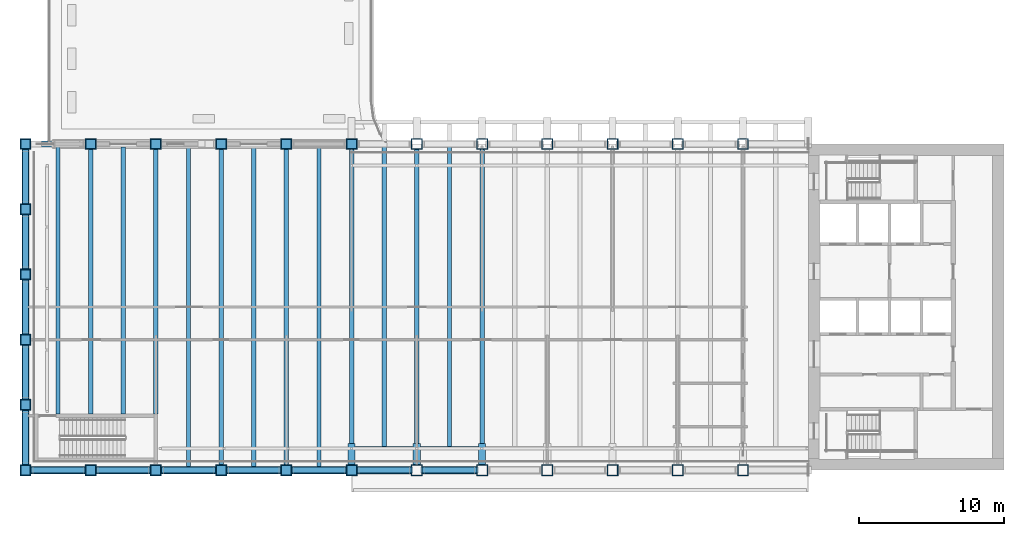
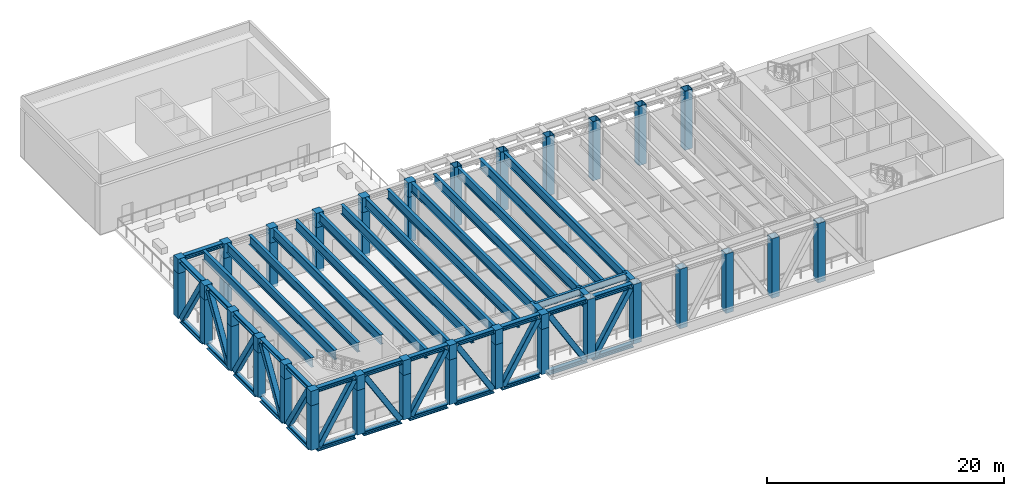
# One storey, part 1 of 20: 44 columns, 37 members, 19 beams.
"""IFC4 building model written with IfcOpenShell, lengths in metres."""

from ifc_helpers import new_model, si_unit, direction, frame, origin, origin_2d, place, context, subcontext, project, spatial, rectangle, hollow_rectangle, i_section, extrude, material, material_profile, profile_set, type_object, element, save


model = new_model("IFC4")

# Units and contexts
model_context = context("Model", 3, precision=1e-05, world=origin(), true_north=direction((0.0, 1.0)))
body_context = subcontext(model_context, "Body", "Model", "MODEL_VIEW")
ifc_project = project(units=[si_unit("LENGTHUNIT", "METRE"), si_unit("AREAUNIT", "SQUARE_METRE"), si_unit("VOLUMEUNIT", "CUBIC_METRE"), si_unit("PLANEANGLEUNIT", "RADIAN"), si_unit("MASSUNIT", "GRAM", prefix="KILO")], contexts=[model_context])

# Site, building, storey
site_placement = place(None, origin())
site = spatial("IfcSite", under=ifc_project, at=site_placement, CompositionType="ELEMENT")
building_placement = place(site_placement, origin())
building = spatial("IfcBuilding", under=site, at=building_placement, Name="Sennacour Bend Tower", CompositionType="ELEMENT")
storey_placement = place(building_placement, frame((0.0, 0.0, 243.0)))
storey = spatial("IfcBuildingStorey", under=building, at=storey_placement, Name="L56", CompositionType="ELEMENT", Elevation=243.0)

# Columns
ifc_material_1 = material(Name="Steel ASTM A572 Grade 50", Category="steel")
ifc_material_profile_1 = material_profile(ifc_material_1, hollow_rectangle(XDim=0.75, YDim=0.75, WallThickness=0.035888671875, at=origin_2d()), Name="Steel ASTM A572 Grade 50", Category="steel")
ifc_profile_set_1 = profile_set([ifc_material_profile_1], Name="Steel ASTM A572 Grade 50")
column_type_1 = type_object("IfcColumnType", Name="Box column 750", PredefinedType="COLUMN", material=ifc_profile_set_1)
for number, where, z_axis, x_axis, name in (
    (1, (0.0, 0.0, -0.25), (0.0, 0.0, 1.0), (1.0, 0.0, 0.0), "Perimeter column C4 L56-001"),
    (2, (0.0, 4.5, -0.25), (0.0, 0.0, 1.0), (1.0, 0.0, 0.0), "Perimeter column C4 L56-002"),
    (3, (0.0, 9.0, -0.25), (0.0, 0.0, 1.0), (1.0, 0.0, 0.0), "Perimeter column C4 L56-003"),
    (4, (0.0, 13.5, -0.25), (0.0, 0.0, 1.0), (1.0, 0.0, 0.0), "Perimeter column C4 L56-004"),
    (5, (0.0, 18.0, -0.25), (0.0, 0.0, 1.0), (1.0, 0.0, 0.0), "Perimeter column C4 L56-005"),
):
    element("IfcColumn", number, at=place(storey_placement, frame(where, z_axis=z_axis, x_axis=x_axis)), inside=storey, type_object=column_type_1, Name=name, PredefinedType="COLUMN", context=body_context, shape_type="SweptSolid", body=[
        extrude(hollow_rectangle(XDim=0.75, YDim=0.75, WallThickness=0.035888671875, at=origin_2d()), origin(), (0.0, 0.0, 1.0), 4.60009765625),
    ])
column_1_placement = place(storey_placement, frame((0.0, 22.5, -0.300048828125), z_axis=(0.0, 0.0, 1.0), x_axis=(1.0, 0.0, 0.0)))
element("IfcColumn", 6, at=column_1_placement, inside=storey, type_object=column_type_1, Name="Perimeter column C4 L56-006", PredefinedType="COLUMN", context=body_context, shape_type="SweptSolid", body=[
    extrude(hollow_rectangle(XDim=0.75, YDim=0.75, WallThickness=0.035888671875, at=origin_2d()), origin(), (0.0, 0.0, 1.0), 4.650146484375),
])
column_2_placement = place(storey_placement, frame((4.5, 0.0, -0.25), z_axis=(0.0, 0.0, 1.0), x_axis=(1.0, 0.0, 0.0)))
element("IfcColumn", 7, at=column_2_placement, inside=storey, type_object=column_type_1, Name="Perimeter column C4 L56-007", PredefinedType="COLUMN", context=body_context, shape_type="SweptSolid", body=[
    extrude(hollow_rectangle(XDim=0.75, YDim=0.75, WallThickness=0.035888671875, at=origin_2d()), origin(), (0.0, 0.0, 1.0), 4.60009765625),
])
column_3_placement = place(storey_placement, frame((4.5, 22.5, -0.300048828125), z_axis=(0.0, 0.0, 1.0), x_axis=(1.0, 0.0, 0.0)))
element("IfcColumn", 8, at=column_3_placement, inside=storey, type_object=column_type_1, Name="Perimeter column C4 L56-008", PredefinedType="COLUMN", context=body_context, shape_type="SweptSolid", body=[
    extrude(hollow_rectangle(XDim=0.75, YDim=0.75, WallThickness=0.035888671875, at=origin_2d()), origin(), (0.0, 0.0, 1.0), 4.650146484375),
])
column_4_placement = place(storey_placement, frame((9.0, 0.0, -0.25), z_axis=(0.0, 0.0, 1.0), x_axis=(1.0, 0.0, 0.0)))
element("IfcColumn", 9, at=column_4_placement, inside=storey, type_object=column_type_1, Name="Perimeter column C4 L56-009", PredefinedType="COLUMN", context=body_context, shape_type="SweptSolid", body=[
    extrude(hollow_rectangle(XDim=0.75, YDim=0.75, WallThickness=0.035888671875, at=origin_2d()), origin(), (0.0, 0.0, 1.0), 4.60009765625),
])
column_5_placement = place(storey_placement, frame((9.0, 22.5, -0.300048828125), z_axis=(0.0, 0.0, 1.0), x_axis=(1.0, 0.0, 0.0)))
element("IfcColumn", 10, at=column_5_placement, inside=storey, type_object=column_type_1, Name="Perimeter column C4 L56-010", PredefinedType="COLUMN", context=body_context, shape_type="SweptSolid", body=[
    extrude(hollow_rectangle(XDim=0.75, YDim=0.75, WallThickness=0.035888671875, at=origin_2d()), origin(), (0.0, 0.0, 1.0), 4.650146484375),
])
column_6_placement = place(storey_placement, frame((13.5, 0.0, -0.25), z_axis=(0.0, 0.0, 1.0), x_axis=(1.0, 0.0, 0.0)))
element("IfcColumn", 11, at=column_6_placement, inside=storey, type_object=column_type_1, Name="Perimeter column C4 L56-011", PredefinedType="COLUMN", context=body_context, shape_type="SweptSolid", body=[
    extrude(hollow_rectangle(XDim=0.75, YDim=0.75, WallThickness=0.035888671875, at=origin_2d()), origin(), (0.0, 0.0, 1.0), 4.60009765625),
])
column_7_placement = place(storey_placement, frame((13.5, 22.5, -0.300048828125), z_axis=(0.0, 0.0, 1.0), x_axis=(1.0, 0.0, 0.0)))
element("IfcColumn", 12, at=column_7_placement, inside=storey, type_object=column_type_1, Name="Perimeter column C4 L56-012", PredefinedType="COLUMN", context=body_context, shape_type="SweptSolid", body=[
    extrude(hollow_rectangle(XDim=0.75, YDim=0.75, WallThickness=0.035888671875, at=origin_2d()), origin(), (0.0, 0.0, 1.0), 4.650146484375),
])
column_8_placement = place(storey_placement, frame((18.0, 0.0, -0.25), z_axis=(0.0, 0.0, 1.0), x_axis=(1.0, 0.0, 0.0)))
element("IfcColumn", 13, at=column_8_placement, inside=storey, type_object=column_type_1, Name="Perimeter column C4 L56-013", PredefinedType="COLUMN", context=body_context, shape_type="SweptSolid", body=[
    extrude(hollow_rectangle(XDim=0.75, YDim=0.75, WallThickness=0.035888671875, at=origin_2d()), origin(), (0.0, 0.0, 1.0), 4.60009765625),
])
for number, where, z_axis, x_axis, name in (
    (14, (18.0, 22.5, -0.300048828125), (0.0, 0.0, 1.0), (1.0, 0.0, 0.0), "Perimeter column C4 L56-014"),
    (15, (22.5, 0.0, -0.300048828125), (0.0, 0.0, 1.0), (1.0, 0.0, 0.0), "Perimeter column C4 L56-015"),
    (16, (22.5, 22.5, -0.300048828125), (0.0, 0.0, 1.0), (1.0, 0.0, 0.0), "Perimeter column C4 L56-016"),
):
    element("IfcColumn", number, at=place(storey_placement, frame(where, z_axis=z_axis, x_axis=x_axis)), inside=storey, type_object=column_type_1, Name=name, PredefinedType="COLUMN", context=body_context, shape_type="SweptSolid", body=[
        extrude(hollow_rectangle(XDim=0.75, YDim=0.75, WallThickness=0.035888671875, at=origin_2d()), origin(), (0.0, 0.0, 1.0), 4.650146484375),
    ])
column_9_placement = place(storey_placement, frame((27.0, 0.0, -0.300048828125), z_axis=(0.0, 0.0, 1.0), x_axis=(1.0, 0.0, 0.0)))
element("IfcColumn", 17, at=column_9_placement, inside=storey, type_object=column_type_1, Name="Perimeter column C4 L56-017", PredefinedType="COLUMN", context=body_context, shape_type="SweptSolid", body=[
    extrude(hollow_rectangle(XDim=0.75, YDim=0.75, WallThickness=0.035888671875, at=origin_2d()), origin(), (0.0, 0.0, 1.0), 6.150146484375),
])
column_10_placement = place(storey_placement, frame((27.0, 22.5, -0.25), z_axis=(0.0, 0.0, 1.0), x_axis=(1.0, 0.0, 0.0)))
element("IfcColumn", 18, at=column_10_placement, inside=storey, type_object=column_type_1, Name="Perimeter column C4 L56-018", PredefinedType="COLUMN", context=body_context, shape_type="SweptSolid", body=[
    extrude(hollow_rectangle(XDim=0.75, YDim=0.75, WallThickness=0.035888671875, at=origin_2d()), origin(), (0.0, 0.0, 1.0), 6.10009765625),
])
column_11_placement = place(storey_placement, frame((31.5, 0.0, -0.300048828125), z_axis=(0.0, 0.0, 1.0), x_axis=(1.0, 0.0, 0.0)))
element("IfcColumn", 19, at=column_11_placement, inside=storey, type_object=column_type_1, Name="Perimeter column C4 L56-019", PredefinedType="COLUMN", context=body_context, shape_type="SweptSolid", body=[
    extrude(hollow_rectangle(XDim=0.75, YDim=0.75, WallThickness=0.035888671875, at=origin_2d()), origin(), (0.0, 0.0, 1.0), 6.150146484375),
])
column_12_placement = place(storey_placement, frame((31.5, 22.5, -0.25), z_axis=(0.0, 0.0, 1.0), x_axis=(1.0, 0.0, 0.0)))
element("IfcColumn", 20, at=column_12_placement, inside=storey, type_object=column_type_1, Name="Perimeter column C4 L56-020", PredefinedType="COLUMN", context=body_context, shape_type="SweptSolid", body=[
    extrude(hollow_rectangle(XDim=0.75, YDim=0.75, WallThickness=0.035888671875, at=origin_2d()), origin(), (0.0, 0.0, 1.0), 6.10009765625),
])
column_13_placement = place(storey_placement, frame((36.0, 0.0, -0.300048828125), z_axis=(0.0, 0.0, 1.0), x_axis=(1.0, 0.0, 0.0)))
element("IfcColumn", 21, at=column_13_placement, inside=storey, type_object=column_type_1, Name="Perimeter column C4 L56-021", PredefinedType="COLUMN", context=body_context, shape_type="SweptSolid", body=[
    extrude(hollow_rectangle(XDim=0.75, YDim=0.75, WallThickness=0.035888671875, at=origin_2d()), origin(), (0.0, 0.0, 1.0), 6.150146484375),
])
column_14_placement = place(storey_placement, frame((36.0, 22.5, -0.25), z_axis=(0.0, 0.0, 1.0), x_axis=(1.0, 0.0, 0.0)))
element("IfcColumn", 22, at=column_14_placement, inside=storey, type_object=column_type_1, Name="Perimeter column C4 L56-022", PredefinedType="COLUMN", context=body_context, shape_type="SweptSolid", body=[
    extrude(hollow_rectangle(XDim=0.75, YDim=0.75, WallThickness=0.035888671875, at=origin_2d()), origin(), (0.0, 0.0, 1.0), 6.10009765625),
])
column_15_placement = place(storey_placement, frame((40.5, 0.0, -0.300048828125), z_axis=(0.0, 0.0, 1.0), x_axis=(1.0, 0.0, 0.0)))
element("IfcColumn", 23, at=column_15_placement, inside=storey, type_object=column_type_1, Name="Perimeter column C4 L56-023", PredefinedType="COLUMN", context=body_context, shape_type="SweptSolid", body=[
    extrude(hollow_rectangle(XDim=0.75, YDim=0.75, WallThickness=0.035888671875, at=origin_2d()), origin(), (0.0, 0.0, 1.0), 6.150146484375),
])
column_16_placement = place(storey_placement, frame((40.5, 22.5, -0.25), z_axis=(0.0, 0.0, 1.0), x_axis=(1.0, 0.0, 0.0)))
element("IfcColumn", 24, at=column_16_placement, inside=storey, type_object=column_type_1, Name="Perimeter column C4 L56-024", PredefinedType="COLUMN", context=body_context, shape_type="SweptSolid", body=[
    extrude(hollow_rectangle(XDim=0.75, YDim=0.75, WallThickness=0.035888671875, at=origin_2d()), origin(), (0.0, 0.0, 1.0), 6.10009765625),
])
column_17_placement = place(storey_placement, frame((45.0, 0.0, -0.300048828125), z_axis=(0.0, 0.0, 1.0), x_axis=(1.0, 0.0, 0.0)))
element("IfcColumn", 25, at=column_17_placement, inside=storey, type_object=column_type_1, Name="Perimeter column C4 L56-025", PredefinedType="COLUMN", context=body_context, shape_type="SweptSolid", body=[
    extrude(hollow_rectangle(XDim=0.75, YDim=0.75, WallThickness=0.035888671875, at=origin_2d()), origin(), (0.0, 0.0, 1.0), 6.150146484375),
])
column_18_placement = place(storey_placement, frame((45.0, 22.5, -0.25), z_axis=(0.0, 0.0, 1.0), x_axis=(1.0, 0.0, 0.0)))
element("IfcColumn", 26, at=column_18_placement, inside=storey, type_object=column_type_1, Name="Perimeter column C4 L56-026", PredefinedType="COLUMN", context=body_context, shape_type="SweptSolid", body=[
    extrude(hollow_rectangle(XDim=0.75, YDim=0.75, WallThickness=0.035888671875, at=origin_2d()), origin(), (0.0, 0.0, 1.0), 6.10009765625),
])
column_19_placement = place(storey_placement, frame((49.5, 0.0, -0.300048828125), z_axis=(0.0, 0.0, 1.0), x_axis=(1.0, 0.0, 0.0)))
element("IfcColumn", 27, at=column_19_placement, inside=storey, type_object=column_type_1, Name="Perimeter column C4 L56-027", PredefinedType="COLUMN", context=body_context, shape_type="SweptSolid", body=[
    extrude(hollow_rectangle(XDim=0.75, YDim=0.75, WallThickness=0.035888671875, at=origin_2d()), origin(), (0.0, 0.0, 1.0), 6.150146484375),
])
column_20_placement = place(storey_placement, frame((49.5, 22.5, -0.25), z_axis=(0.0, 0.0, 1.0), x_axis=(1.0, 0.0, 0.0)))
element("IfcColumn", 28, at=column_20_placement, inside=storey, type_object=column_type_1, Name="Perimeter column C4 L56-028", PredefinedType="COLUMN", context=body_context, shape_type="SweptSolid", body=[
    extrude(hollow_rectangle(XDim=0.75, YDim=0.75, WallThickness=0.035888671875, at=origin_2d()), origin(), (0.0, 0.0, 1.0), 6.10009765625),
])
ifc_material_profile_2 = material_profile(ifc_material_1, rectangle(XDim=0.75, YDim=0.75, at=origin_2d()), Name="Steel ASTM A572 Grade 50", Category="steel")
ifc_profile_set_2 = profile_set([ifc_material_profile_2], Name="Steel ASTM A572 Grade 50")
column_type_2 = type_object("IfcColumnType", Name="Column head block 750", PredefinedType="COLUMN", material=ifc_profile_set_2)
for number, where, z_axis, x_axis, name in (
    (29, (0.0, 0.0, 4.35009765625), (0.0, 0.0, 1.0), (1.0, 0.0, 0.0), "Column head block L56-001"),
    (30, (0.0, 4.5, 4.35009765625), (0.0, 0.0, 1.0), (1.0, 0.0, 0.0), "Column head block L56-002"),
    (31, (0.0, 9.0, 4.35009765625), (0.0, 0.0, 1.0), (1.0, 0.0, 0.0), "Column head block L56-003"),
    (32, (0.0, 13.5, 4.35009765625), (0.0, 0.0, 1.0), (1.0, 0.0, 0.0), "Column head block L56-004"),
    (33, (0.0, 18.0, 4.35009765625), (0.0, 0.0, 1.0), (1.0, 0.0, 0.0), "Column head block L56-005"),
    (34, (0.0, 22.5, 4.35009765625), (0.0, 0.0, 1.0), (1.0, 0.0, 0.0), "Column head block L56-006"),
    (35, (4.5, 0.0, 4.35009765625), (0.0, 0.0, 1.0), (1.0, 0.0, 0.0), "Column head block L56-007"),
    (36, (4.5, 22.5, 4.35009765625), (0.0, 0.0, 1.0), (1.0, 0.0, 0.0), "Column head block L56-008"),
    (37, (9.0, 0.0, 4.35009765625), (0.0, 0.0, 1.0), (1.0, 0.0, 0.0), "Column head block L56-009"),
    (38, (9.0, 22.5, 4.35009765625), (0.0, 0.0, 1.0), (1.0, 0.0, 0.0), "Column head block L56-010"),
    (39, (13.5, 0.0, 4.35009765625), (0.0, 0.0, 1.0), (1.0, 0.0, 0.0), "Column head block L56-011"),
    (40, (13.5, 22.5, 4.35009765625), (0.0, 0.0, 1.0), (1.0, 0.0, 0.0), "Column head block L56-012"),
    (41, (18.0, 0.0, 4.35009765625), (0.0, 0.0, 1.0), (1.0, 0.0, 0.0), "Column head block L56-013"),
    (42, (18.0, 22.5, 4.35009765625), (0.0, 0.0, 1.0), (1.0, 0.0, 0.0), "Column head block L56-014"),
    (43, (22.5, 0.0, 4.35009765625), (0.0, 0.0, 1.0), (1.0, 0.0, 0.0), "Column head block L56-015"),
    (44, (22.5, 22.5, 4.35009765625), (0.0, 0.0, 1.0), (1.0, 0.0, 0.0), "Column head block L56-016"),
):
    element("IfcColumn", number, at=place(storey_placement, frame(where, z_axis=z_axis, x_axis=x_axis)), inside=storey, type_object=column_type_2, Name=name, PredefinedType="COLUMN", context=body_context, shape_type="SweptSolid", body=[
        extrude(rectangle(XDim=0.75, YDim=0.75, at=origin_2d()), origin(), (0.0, 0.0, 1.0), 1.5),
    ])

# Members
ifc_material_2 = material(Name="Steel ASTM A992 Grade 50", Category="steel")
ifc_material_profile_3 = material_profile(ifc_material_2, i_section(OverallWidth=0.4189453125, OverallDepth=0.455078125, WebThickness=0.042236328125, FlangeThickness=0.067626953125, FilletRadius=0.01513671875, at=origin_2d()), Name="Steel ASTM A992 Grade 50", Category="steel")
ifc_profile_set_3 = profile_set([ifc_material_profile_3], Name="Steel ASTM A992 Grade 50")
member_type_1 = type_object("IfcMemberType", Name="Belt truss chord W360X551", PredefinedType="CHORD", material=ifc_profile_set_3)
for number, where, z_axis, x_axis, name in (
    (45, (0.0, 0.375, -0.4775390625), (0.0, 1.0, 0.0), (-1.0, 0.0, 0.0), "Belt truss chord BC L56-001"),
    (46, (0.0, 4.875, -0.4775390625), (0.0, 1.0, 0.0), (-1.0, 0.0, 0.0), "Belt truss chord BC L56-002"),
    (47, (0.0, 9.375, -0.4775390625), (0.0, 1.0, 0.0), (-1.0, 0.0, 0.0), "Belt truss chord BC L56-003"),
    (48, (0.0, 13.875, -0.4775390625), (0.0, 1.0, 0.0), (-1.0, 0.0, 0.0), "Belt truss chord BC L56-004"),
    (49, (0.0, 18.375, -0.4775390625), (0.0, 1.0, 0.0), (-1.0, 0.0, 0.0), "Belt truss chord BC L56-005"),
):
    element("IfcMember", number, at=place(storey_placement, frame(where, z_axis=z_axis, x_axis=x_axis)), inside=storey, type_object=member_type_1, Name=name, PredefinedType="CHORD", context=body_context, shape_type="SweptSolid", body=[
        extrude(i_section(OverallWidth=0.4189453125, OverallDepth=0.455078125, WebThickness=0.042236328125, FlangeThickness=0.067626953125, FilletRadius=0.01513671875, at=origin_2d()), origin(), (0.0, 0.0, 1.0), 3.75),
    ])
member_1_placement = place(storey_placement, frame((31.25, 0.0, -0.527587890625), z_axis=(-1.0, 0.0, 0.0), x_axis=(0.0, -1.0, 0.0)))
element("IfcMember", 50, at=member_1_placement, inside=storey, type_object=member_type_1, Name="Belt truss chord BC L56-019", PredefinedType="CHORD", context=body_context, shape_type="SweptSolid", body=[
    extrude(i_section(OverallWidth=0.4189453125, OverallDepth=0.455078125, WebThickness=0.042236328125, FlangeThickness=0.067626953125, FilletRadius=0.01513671875, at=origin_2d()), origin(), (0.0, 0.0, 1.0), 4.0),
])
member_2_placement = place(storey_placement, frame((26.75, 0.0, -0.527587890625), z_axis=(-1.0, 0.0, 0.0), x_axis=(0.0, -1.0, 0.0)))
element("IfcMember", 51, at=member_2_placement, inside=storey, type_object=member_type_1, Name="Belt truss chord BC L56-020", PredefinedType="CHORD", context=body_context, shape_type="SweptSolid", body=[
    extrude(i_section(OverallWidth=0.4189453125, OverallDepth=0.455078125, WebThickness=0.042236328125, FlangeThickness=0.067626953125, FilletRadius=0.01513671875, at=origin_2d()), origin(), (0.0, 0.0, 1.0), 3.875),
])
for number, where, z_axis, x_axis, name in (
    (52, (22.125, 0.0, -0.4775390625), (-1.0, 0.0, 0.0), (0.0, -1.0, 0.0), "Belt truss chord BC L56-021"),
    (53, (17.625, 0.0, -0.4775390625), (-1.0, 0.0, 0.0), (0.0, -1.0, 0.0), "Belt truss chord BC L56-022"),
    (54, (13.125, 0.0, -0.4775390625), (-1.0, 0.0, 0.0), (0.0, -1.0, 0.0), "Belt truss chord BC L56-023"),
    (55, (8.625, 0.0, -0.4775390625), (-1.0, 0.0, 0.0), (0.0, -1.0, 0.0), "Belt truss chord BC L56-024"),
    (56, (4.125, 0.0, -0.4775390625), (-1.0, 0.0, 0.0), (0.0, -1.0, 0.0), "Belt truss chord BC L56-025"),
    (57, (0.0, 0.375, 5.62255859375), (0.0, 1.0, 0.0), (-1.0, 0.0, 0.0), "Belt truss chord BC L56-001"),
    (58, (0.0, 4.875, 5.62255859375), (0.0, 1.0, 0.0), (-1.0, 0.0, 0.0), "Belt truss chord BC L56-002"),
    (59, (0.0, 9.375, 5.62255859375), (0.0, 1.0, 0.0), (-1.0, 0.0, 0.0), "Belt truss chord BC L56-003"),
    (60, (0.0, 13.875, 5.62255859375), (0.0, 1.0, 0.0), (-1.0, 0.0, 0.0), "Belt truss chord BC L56-004"),
    (61, (0.0, 18.375, 5.62255859375), (0.0, 1.0, 0.0), (-1.0, 0.0, 0.0), "Belt truss chord BC L56-005"),
    (62, (0.375, 22.5, 5.62255859375), (1.0, 0.0, 0.0), (0.0, 1.0, 0.0), "Belt truss chord BC L56-006"),
    (63, (31.125, 0.0, 5.62255859375), (-1.0, 0.0, 0.0), (0.0, -1.0, 0.0), "Belt truss chord BC L56-023"),
    (64, (26.625, 0.0, 5.62255859375), (-1.0, 0.0, 0.0), (0.0, -1.0, 0.0), "Belt truss chord BC L56-024"),
    (65, (22.125, 0.0, 5.62255859375), (-1.0, 0.0, 0.0), (0.0, -1.0, 0.0), "Belt truss chord BC L56-025"),
    (66, (17.625, 0.0, 5.62255859375), (-1.0, 0.0, 0.0), (0.0, -1.0, 0.0), "Belt truss chord BC L56-026"),
    (67, (13.125, 0.0, 5.62255859375), (-1.0, 0.0, 0.0), (0.0, -1.0, 0.0), "Belt truss chord BC L56-027"),
    (68, (8.625, 0.0, 5.62255859375), (-1.0, 0.0, 0.0), (0.0, -1.0, 0.0), "Belt truss chord BC L56-028"),
    (69, (4.125, 0.0, 5.62255859375), (-1.0, 0.0, 0.0), (0.0, -1.0, 0.0), "Belt truss chord BC L56-029"),
):
    element("IfcMember", number, at=place(storey_placement, frame(where, z_axis=z_axis, x_axis=x_axis)), inside=storey, type_object=member_type_1, Name=name, PredefinedType="CHORD", context=body_context, shape_type="SweptSolid", body=[
        extrude(i_section(OverallWidth=0.4189453125, OverallDepth=0.455078125, WebThickness=0.042236328125, FlangeThickness=0.067626953125, FilletRadius=0.01513671875, at=origin_2d()), origin(), (0.0, 0.0, 1.0), 3.75),
    ])
ifc_material_3 = material(Name="Steel ASTM A500 Grade C", Category="steel")
ifc_material_profile_4 = material_profile(ifc_material_3, hollow_rectangle(XDim=0.508056640625, YDim=0.508056640625, WallThickness=0.01904296875, InnerFilletRadius=0.01904296875, OuterFilletRadius=0.0380859375, at=origin_2d()), Name="Steel ASTM A500 Grade C", Category="steel")
ifc_profile_set_4 = profile_set([ifc_material_profile_4], Name="Steel ASTM A500 Grade C")
member_type_2 = type_object("IfcMemberType", Name="Belt truss diagonal 508", PredefinedType="BRACE", material=ifc_profile_set_4)
for number, where, z_axis, x_axis, name in (
    (70, (0.0, 0.52490234375, 5.39501953125), (0.0, 0.521500759312, -0.853250817777), (-1.0, 0.0, 0.0), "Belt truss diagonal BD L56-001"),
    (71, (0.0, 5.02490234375, -0.25), (0.0, 0.521500759312, 0.853250817777), (-1.0, 0.0, 0.0), "Belt truss diagonal BD L56-002"),
    (72, (0.0, 9.52490234375, 5.39501953125), (0.0, 0.521500759312, -0.853250817777), (-1.0, 0.0, 0.0), "Belt truss diagonal BD L56-003"),
    (73, (0.0, 14.02490234375, -0.25), (0.0, 0.521500759312, 0.853250817777), (-1.0, 0.0, 0.0), "Belt truss diagonal BD L56-004"),
):
    element("IfcMember", number, at=place(storey_placement, frame(where, z_axis=z_axis, x_axis=x_axis)), inside=storey, type_object=member_type_2, Name=name, PredefinedType="BRACE", context=body_context, shape_type="SweptSolid", body=[
        extrude(hollow_rectangle(XDim=0.508056640625, YDim=0.508056640625, WallThickness=0.01904296875, InnerFilletRadius=0.01904296875, OuterFilletRadius=0.0380859375, at=origin_2d()), origin(), (0.0, 0.0, 1.0), 6.615966796875),
    ])
for number, where, z_axis, x_axis, name in (
    (74, (0.0, 18.52490234375, 5.39501953125), (0.0, 0.518152191103, -0.855288434889), (-1.0, 0.0, 0.0), "Belt truss diagonal BD L56-005"),
    (75, (30.97509765625, 0.0, 5.39501953125), (-0.518152191103, 0.0, -0.855288434889), (0.0, -1.0, 0.0), "Belt truss diagonal BD L56-019"),
    (76, (26.47509765625, 0.0, -0.300048828125), (-0.518152191103, 0.0, 0.855288434889), (0.0, -1.0, 0.0), "Belt truss diagonal BD L56-020"),
    (77, (21.97509765625, 0.0, 5.39501953125), (-0.518152191103, 0.0, -0.855288434889), (0.0, -1.0, 0.0), "Belt truss diagonal BD L56-021"),
):
    element("IfcMember", number, at=place(storey_placement, frame(where, z_axis=z_axis, x_axis=x_axis)), inside=storey, type_object=member_type_2, Name=name, PredefinedType="BRACE", context=body_context, shape_type="SweptSolid", body=[
        extrude(hollow_rectangle(XDim=0.508056640625, YDim=0.508056640625, WallThickness=0.01904296875, InnerFilletRadius=0.01904296875, OuterFilletRadius=0.0380859375, at=origin_2d()), origin(), (0.0, 0.0, 1.0), 6.65869140625),
    ])
for number, where, z_axis, x_axis, name in (
    (78, (17.47509765625, 0.0, -0.25), (-0.521500759312, 0.0, 0.853250817777), (0.0, -1.0, 0.0), "Belt truss diagonal BD L56-022"),
    (79, (12.97509765625, 0.0, 5.39501953125), (-0.521500759312, 0.0, -0.853250817777), (0.0, -1.0, 0.0), "Belt truss diagonal BD L56-023"),
    (80, (8.47509765625, 0.0, -0.25), (-0.521500759312, 0.0, 0.853250817777), (0.0, -1.0, 0.0), "Belt truss diagonal BD L56-024"),
    (81, (3.97509765625, 0.0, 5.39501953125), (-0.521500759312, 0.0, -0.853250817777), (0.0, -1.0, 0.0), "Belt truss diagonal BD L56-025"),
):
    element("IfcMember", number, at=place(storey_placement, frame(where, z_axis=z_axis, x_axis=x_axis)), inside=storey, type_object=member_type_2, Name=name, PredefinedType="BRACE", context=body_context, shape_type="SweptSolid", body=[
        extrude(hollow_rectangle(XDim=0.508056640625, YDim=0.508056640625, WallThickness=0.01904296875, InnerFilletRadius=0.01904296875, OuterFilletRadius=0.0380859375, at=origin_2d()), origin(), (0.0, 0.0, 1.0), 6.615966796875),
    ])

# Beams
ifc_material_profile_5 = material_profile(ifc_material_2, i_section(OverallWidth=0.300048828125, OverallDepth=0.97998046875, WebThickness=0.0166015625, FlangeThickness=0.026123046875, FilletRadius=0.02978515625, at=origin_2d()), Name="Steel ASTM A992 Grade 50", Category="steel")
ifc_profile_set_5 = profile_set([ifc_material_profile_5], Name="Steel ASTM A992 Grade 50")
beam_type_1 = type_object("IfcBeamType", Name="Floor beam W1000X249", PredefinedType="BEAM", material=ifc_profile_set_5)
beam_1_placement = place(storey_placement, frame((2.25, 3.875, 5.360107421875), z_axis=(0.0, 1.0, 0.0), x_axis=(-1.0, 0.0, 0.0)))
element("IfcBeam", 82, at=beam_1_placement, inside=storey, type_object=beam_type_1, Name="Floor beam FBM2 L57-001", PredefinedType="BEAM", context=body_context, shape_type="SweptSolid", body=[
    extrude(i_section(OverallWidth=0.300048828125, OverallDepth=0.97998046875, WebThickness=0.0166015625, FlangeThickness=0.026123046875, FilletRadius=0.02978515625, at=origin_2d()), origin(), (0.0, 0.0, 1.0), 18.41552734375),
])
beam_2_placement = place(storey_placement, frame((4.5, 3.875, 5.360107421875), z_axis=(0.0, 1.0, 0.0), x_axis=(-1.0, 0.0, 0.0)))
element("IfcBeam", 83, at=beam_2_placement, inside=storey, type_object=beam_type_1, Name="Floor beam FBM2 L57-002", PredefinedType="BEAM", context=body_context, shape_type="SweptSolid", body=[
    extrude(i_section(OverallWidth=0.300048828125, OverallDepth=0.97998046875, WebThickness=0.0166015625, FlangeThickness=0.026123046875, FilletRadius=0.02978515625, at=origin_2d()), origin(), (0.0, 0.0, 1.0), 18.25),
])
beam_3_placement = place(storey_placement, frame((6.75, 3.875, 5.360107421875), z_axis=(0.0, 1.0, 0.0), x_axis=(-1.0, 0.0, 0.0)))
element("IfcBeam", 84, at=beam_3_placement, inside=storey, type_object=beam_type_1, Name="Floor beam FBM2 L57-003", PredefinedType="BEAM", context=body_context, shape_type="SweptSolid", body=[
    extrude(i_section(OverallWidth=0.300048828125, OverallDepth=0.97998046875, WebThickness=0.0166015625, FlangeThickness=0.026123046875, FilletRadius=0.02978515625, at=origin_2d()), origin(), (0.0, 0.0, 1.0), 18.41552734375),
])
beam_4_placement = place(storey_placement, frame((9.0, 3.875, 5.360107421875), z_axis=(0.0, 1.0, 0.0), x_axis=(-1.0, 0.0, 0.0)))
element("IfcBeam", 85, at=beam_4_placement, inside=storey, type_object=beam_type_1, Name="Floor beam FBM2 L57-004", PredefinedType="BEAM", context=body_context, shape_type="SweptSolid", body=[
    extrude(i_section(OverallWidth=0.300048828125, OverallDepth=0.97998046875, WebThickness=0.0166015625, FlangeThickness=0.026123046875, FilletRadius=0.02978515625, at=origin_2d()), origin(), (0.0, 0.0, 1.0), 18.25),
])
beam_5_placement = place(storey_placement, frame((11.25, 0.20947265625, 5.360107421875), z_axis=(0.0, 1.0, 0.0), x_axis=(-1.0, 0.0, 0.0)))
element("IfcBeam", 86, at=beam_5_placement, inside=storey, type_object=beam_type_1, Name="Floor beam FBM2 L57-005", PredefinedType="BEAM", context=body_context, shape_type="SweptSolid", body=[
    extrude(i_section(OverallWidth=0.300048828125, OverallDepth=0.97998046875, WebThickness=0.0166015625, FlangeThickness=0.026123046875, FilletRadius=0.02978515625, at=origin_2d()), origin(), (0.0, 0.0, 1.0), 22.0810546875),
])
beam_6_placement = place(storey_placement, frame((13.5, 0.375, 5.360107421875), z_axis=(0.0, 1.0, 0.0), x_axis=(-1.0, 0.0, 0.0)))
element("IfcBeam", 87, at=beam_6_placement, inside=storey, type_object=beam_type_1, Name="Floor beam FBM2 L57-006", PredefinedType="BEAM", context=body_context, shape_type="SweptSolid", body=[
    extrude(i_section(OverallWidth=0.300048828125, OverallDepth=0.97998046875, WebThickness=0.0166015625, FlangeThickness=0.026123046875, FilletRadius=0.02978515625, at=origin_2d()), origin(), (0.0, 0.0, 1.0), 21.75),
])
beam_7_placement = place(storey_placement, frame((15.75, 0.20947265625, 5.360107421875), z_axis=(0.0, 1.0, 0.0), x_axis=(-1.0, 0.0, 0.0)))
element("IfcBeam", 88, at=beam_7_placement, inside=storey, type_object=beam_type_1, Name="Floor beam FBM2 L57-007", PredefinedType="BEAM", context=body_context, shape_type="SweptSolid", body=[
    extrude(i_section(OverallWidth=0.300048828125, OverallDepth=0.97998046875, WebThickness=0.0166015625, FlangeThickness=0.026123046875, FilletRadius=0.02978515625, at=origin_2d()), origin(), (0.0, 0.0, 1.0), 22.0810546875),
])
beam_8_placement = place(storey_placement, frame((18.0, 0.375, 5.360107421875), z_axis=(0.0, 1.0, 0.0), x_axis=(-1.0, 0.0, 0.0)))
element("IfcBeam", 89, at=beam_8_placement, inside=storey, type_object=beam_type_1, Name="Floor beam FBM2 L57-008", PredefinedType="BEAM", context=body_context, shape_type="SweptSolid", body=[
    extrude(i_section(OverallWidth=0.300048828125, OverallDepth=0.97998046875, WebThickness=0.0166015625, FlangeThickness=0.026123046875, FilletRadius=0.02978515625, at=origin_2d()), origin(), (0.0, 0.0, 1.0), 21.75),
])
beam_9_placement = place(storey_placement, frame((20.25, 0.20947265625, 5.360107421875), z_axis=(0.0, 1.0, 0.0), x_axis=(-1.0, 0.0, 0.0)))
element("IfcBeam", 90, at=beam_9_placement, inside=storey, type_object=beam_type_1, Name="Floor beam FBM2 L57-009", PredefinedType="BEAM", context=body_context, shape_type="SweptSolid", body=[
    extrude(i_section(OverallWidth=0.300048828125, OverallDepth=0.97998046875, WebThickness=0.0166015625, FlangeThickness=0.026123046875, FilletRadius=0.02978515625, at=origin_2d()), origin(), (0.0, 0.0, 1.0), 22.0810546875),
])
beam_10_placement = place(storey_placement, frame((22.5, 1.824951171875, 5.360107421875), z_axis=(0.0, 1.0, 0.0), x_axis=(-1.0, 0.0, 0.0)))
element("IfcBeam", 91, at=beam_10_placement, inside=storey, type_object=beam_type_1, Name="Floor beam FBM2 L57-010", PredefinedType="BEAM", context=body_context, shape_type="SweptSolid", body=[
    extrude(i_section(OverallWidth=0.300048828125, OverallDepth=0.97998046875, WebThickness=0.0166015625, FlangeThickness=0.026123046875, FilletRadius=0.02978515625, at=origin_2d()), origin(), (0.0, 0.0, 1.0), 20.300048828125),
])
beam_11_placement = place(storey_placement, frame((24.75, 1.626953125, 5.360107421875), z_axis=(0.0, 1.0, 0.0), x_axis=(-1.0, 0.0, 0.0)))
element("IfcBeam", 92, at=beam_11_placement, inside=storey, type_object=beam_type_1, Name="Floor beam FBM2 L57-011", PredefinedType="BEAM", context=body_context, shape_type="SweptSolid", body=[
    extrude(i_section(OverallWidth=0.300048828125, OverallDepth=0.97998046875, WebThickness=0.0166015625, FlangeThickness=0.026123046875, FilletRadius=0.02978515625, at=origin_2d()), origin(), (0.0, 0.0, 1.0), 20.66357421875),
])
beam_12_placement = place(storey_placement, frame((27.0, 1.824951171875, 5.360107421875), z_axis=(0.0, 1.0, 0.0), x_axis=(-1.0, 0.0, 0.0)))
element("IfcBeam", 93, at=beam_12_placement, inside=storey, type_object=beam_type_1, Name="Floor beam FBM2 L57-013", PredefinedType="BEAM", context=body_context, shape_type="SweptSolid", body=[
    extrude(i_section(OverallWidth=0.300048828125, OverallDepth=0.97998046875, WebThickness=0.0166015625, FlangeThickness=0.026123046875, FilletRadius=0.02978515625, at=origin_2d()), origin(), (0.0, 0.0, 1.0), 20.300048828125),
])
beam_13_placement = place(storey_placement, frame((29.25, 1.626953125, 5.360107421875), z_axis=(0.0, 1.0, 0.0), x_axis=(-1.0, 0.0, 0.0)))
element("IfcBeam", 94, at=beam_13_placement, inside=storey, type_object=beam_type_1, Name="Floor beam FBM2 L57-014", PredefinedType="BEAM", context=body_context, shape_type="SweptSolid", body=[
    extrude(i_section(OverallWidth=0.300048828125, OverallDepth=0.97998046875, WebThickness=0.0166015625, FlangeThickness=0.026123046875, FilletRadius=0.02978515625, at=origin_2d()), origin(), (0.0, 0.0, 1.0), 20.66357421875),
])
beam_14_placement = place(storey_placement, frame((31.5, 1.824951171875, 5.360107421875), z_axis=(0.0, 1.0, 0.0), x_axis=(-1.0, 0.0, 0.0)))
element("IfcBeam", 95, at=beam_14_placement, inside=storey, type_object=beam_type_1, Name="Floor beam FBM2 L57-016", PredefinedType="BEAM", context=body_context, shape_type="SweptSolid", body=[
    extrude(i_section(OverallWidth=0.300048828125, OverallDepth=0.97998046875, WebThickness=0.0166015625, FlangeThickness=0.026123046875, FilletRadius=0.02978515625, at=origin_2d()), origin(), (0.0, 0.0, 1.0), 20.300048828125),
])
ifc_material_profile_6 = material_profile(ifc_material_2, i_section(OverallWidth=0.25390625, OverallDepth=0.68798828125, WebThickness=0.01318359375, FlangeThickness=0.02099609375, FilletRadius=0.01513671875, at=origin_2d()), Name="Steel ASTM A992 Grade 50", Category="steel")
ifc_profile_set_6 = profile_set([ifc_material_profile_6], Name="Steel ASTM A992 Grade 50")
beam_type_2 = type_object("IfcBeamType", Name="Spandrel beam W690X152", PredefinedType="SPANDREL", material=ifc_profile_set_6)
for number, where, z_axis, x_axis, name in (
    (96, (31.485107421875, 1.5, 5.506103515625), (-1.0, 0.0, 0.0), (0.0, -1.0, 0.0), "Spandrel beam SP6 L57-013"),
    (97, (26.985107421875, 1.5, 5.506103515625), (-1.0, 0.0, 0.0), (0.0, -1.0, 0.0), "Spandrel beam SP6 L57-014"),
):
    element("IfcBeam", number, at=place(storey_placement, frame(where, z_axis=z_axis, x_axis=x_axis)), inside=storey, type_object=beam_type_2, Name=name, PredefinedType="SPANDREL", context=body_context, shape_type="SweptSolid", body=[
        extrude(i_section(OverallWidth=0.25390625, OverallDepth=0.68798828125, WebThickness=0.01318359375, FlangeThickness=0.02099609375, FilletRadius=0.01513671875, at=origin_2d()), origin(), (0.0, 0.0, 1.0), 4.47021484375),
    ])
ifc_material_profile_7 = material_profile(ifc_material_1, i_section(OverallWidth=0.5, OverallDepth=1.39990234375, WebThickness=0.030029296875, FlangeThickness=0.054931640625, at=origin_2d()), Name="Steel ASTM A572 Grade 50", Category="steel")
ifc_profile_set_7 = profile_set([ifc_material_profile_7], Name="Steel ASTM A572 Grade 50")
beam_type_3 = type_object("IfcBeamType", Name="Transfer stub 1400", PredefinedType="USERDEFINED", material=ifc_profile_set_7)
for number, where, z_axis, x_axis, name in (
    (98, (22.5, 0.375, 5.14990234375), (0.0, 1.0, 0.0), (-1.0, 0.0, 0.0), "Transfer beam TS L57-001"),
    (99, (27.0, 0.375, 5.14990234375), (0.0, 1.0, 0.0), (-1.0, 0.0, 0.0), "Transfer beam TS L57-003"),
    (100, (31.5, 0.375, 5.14990234375), (0.0, 1.0, 0.0), (-1.0, 0.0, 0.0), "Transfer beam TS L57-005"),
):
    element("IfcBeam", number, at=place(storey_placement, frame(where, z_axis=z_axis, x_axis=x_axis)), inside=storey, type_object=beam_type_3, Name=name, ObjectType="TRANSFER BEAM", PredefinedType="USERDEFINED", context=body_context, shape_type="SweptSolid", body=[
        extrude(i_section(OverallWidth=0.5, OverallDepth=1.39990234375, WebThickness=0.030029296875, FlangeThickness=0.054931640625, at=origin_2d()), origin(), (0.0, 0.0, 1.0), 1.449951171875),
    ])

save(model, "model.ifc")
